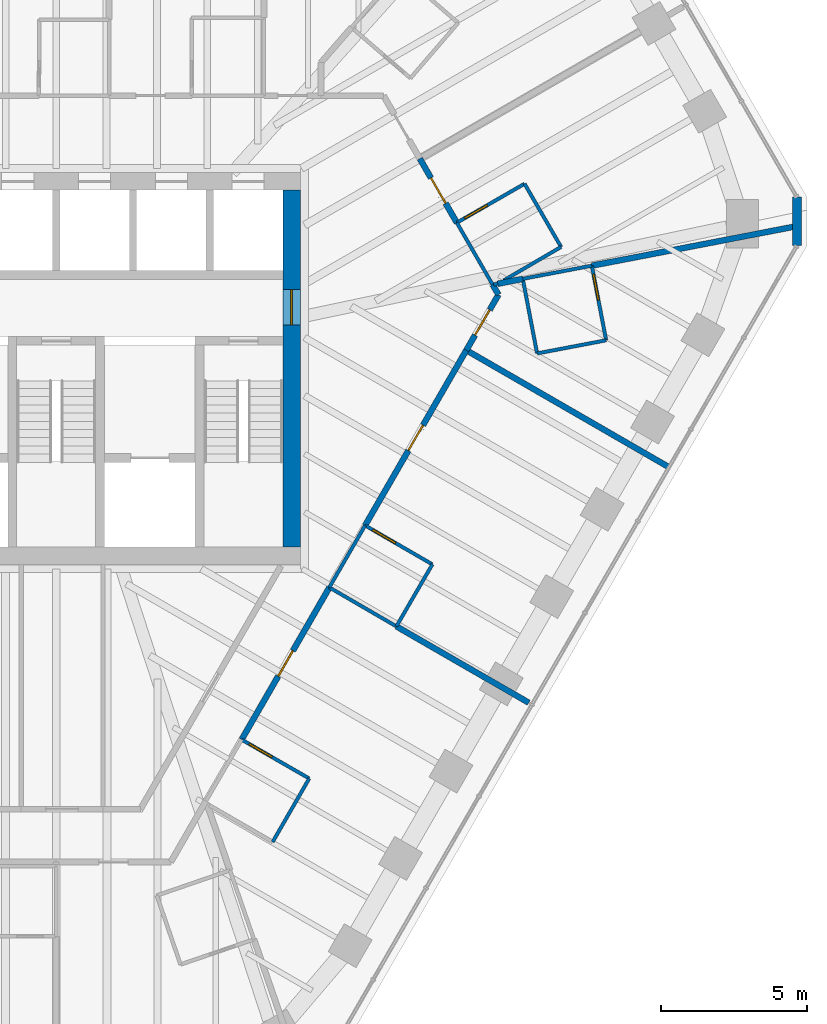
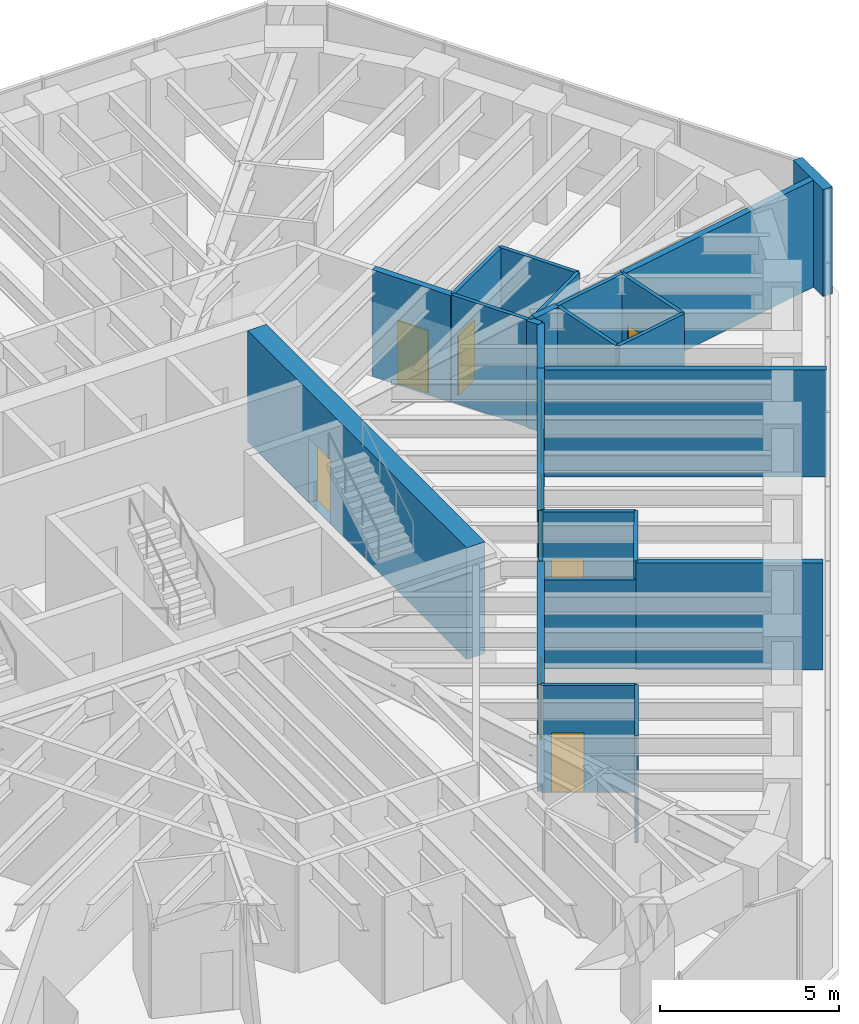
# One storey, part 11 of 14: 26 walls, 9 doors, 9 openings.
"""IFC4 building model written with IfcOpenShell, lengths in metres."""

from ifc_helpers import new_model, si_unit, direction, frame, frame_2d, origin, place, context, subcontext, project, spatial, rectangle, extrude, material, layer, layer_set, type_object, element, fill, save


model = new_model("IFC4")

# Units and contexts
model_context = context("Model", 3, precision=1e-05, world=origin(), true_north=direction((0.0, 1.0)))
body_context = subcontext(model_context, "Body", "Model", "MODEL_VIEW")
ifc_project = project(units=[si_unit("LENGTHUNIT", "METRE"), si_unit("AREAUNIT", "SQUARE_METRE"), si_unit("VOLUMEUNIT", "CUBIC_METRE"), si_unit("PLANEANGLEUNIT", "RADIAN"), si_unit("MASSUNIT", "GRAM", prefix="KILO")], contexts=[model_context])

# Site, building, storey
site_placement = place(None, origin())
site = spatial("IfcSite", under=ifc_project, at=site_placement, CompositionType="ELEMENT")
building_placement = place(site_placement, origin())
building = spatial("IfcBuilding", under=site, at=building_placement, Name="Sandreach Pilgrim Tower", CompositionType="ELEMENT")
storey_placement = place(building_placement, frame((0.0, 0.0, 272.199951171875)))
storey = spatial("IfcBuildingStorey", under=building, at=storey_placement, Name="L68", CompositionType="ELEMENT", Elevation=272.199951171875)

# Wall
ifc_material_1 = material(Name="Moisture-resistant gypsum board on steel studs", Category="steel")
ifc_layer_1 = layer(ifc_material_1, 0.1201171875)
ifc_layer_set_1 = layer_set([ifc_layer_1], Name="Bathroom partition 120")
wall_type_1 = type_object("IfcWallType", Name="Bathroom partition 120", PredefinedType="PARTITIONING", material=ifc_layer_set_1)
wall_1_placement = place(storey_placement, frame((7.39990234375, -16.179931640625, 0.0), z_axis=(0.0, 0.0, 1.0), x_axis=(0.499159685399, 0.866510016372, 0.0)))
element("IfcWall", 1, at=wall_1_placement, inside=storey, type_object=wall_type_1, Name="Bathroom partition L68-087", PredefinedType="PARTITIONING", context=body_context, shape_type="SweptSolid", body=[
    extrude(rectangle(XDim=2.504150390625, YDim=0.1201171875, at=frame_2d((1.251953125, 0.0))), origin(), (0.0, 0.0, 1.0), 3.64013671875),
])

# Wall, opening, door
wall_2_placement = place(storey_placement, frame((8.64990234375, -14.010009765625, 0.0), z_axis=(0.0, 0.0, 1.0), x_axis=(-0.866592449628, 0.499016559092, 0.0)))
wall_2 = element("IfcWall", 2, at=wall_2_placement, inside=storey, type_object=wall_type_1, Name="Bathroom partition L68-089", PredefinedType="PARTITIONING", context=body_context, shape_type="SweptSolid", body=[
    extrude(rectangle(XDim=2.665283203125, YDim=0.1201171875, at=frame_2d((1.33251953125, 0.0))), origin(), (0.0, 0.0, 1.0), 3.64013671875),
])
opening_1_placement = place(wall_2_placement, frame((1.465576171875, 0.0, 0.0)))
opening_1 = element("IfcOpeningElement", 3, at=opening_1_placement, cuts=wall_2, Name="Opening D09-09B", PredefinedType="OPENING", context=body_context, shape_type="SweptSolid", body=[
    extrude(rectangle(XDim=0.89990234375, YDim=2.030029296875, at=frame_2d((0.449951171875, 1.01513671875))), frame((0.0, 0.06005859375, 0.0), z_axis=(0.0, -1.0, 0.0), x_axis=(1.0, 0.0, 0.0)), (0.0, 0.0, 1.0), 0.1201171875),
])
ifc_material_2 = material(Name="Timber door, steel frame", Category="steel")
door_type_1 = type_object("IfcDoorType", Name="Bathroom door", OperationType="SINGLE_SWING_LEFT", PredefinedType="DOOR", material=ifc_material_2)
door_1_placement = place(opening_1_placement, origin())
door_1 = element("IfcDoor", 4, at=door_1_placement, inside=storey, type_object=door_type_1, Name="Door 6809B", OperationType="SINGLE_SWING_RIGHT", OverallHeight=2.030029296875, OverallWidth=0.89990234375, PredefinedType="DOOR", context=body_context, shape_type="SweptSolid", body=[
    extrude(rectangle(XDim=0.89990234375, YDim=2.030029296875, at=frame_2d((0.449951171875, 1.01513671875))), frame((0.0, 0.02490234375, 0.0), z_axis=(0.0, -1.0, 0.0), x_axis=(1.0, 0.0, 0.0)), (0.0, 0.0, 1.0), 0.050048828125),
])
fill(opening_1, door_1)

# Walls
wall_3_placement = place(storey_placement, frame((9.336669921875, -7.47802734375, 0.0), z_axis=(0.0, 0.0, 1.0), x_axis=(0.500186129468, 0.865917915214, 0.0)))
element("IfcWall", 5, at=wall_3_placement, inside=storey, type_object=wall_type_1, Name="Bathroom partition L68-092", PredefinedType="PARTITIONING", context=body_context, shape_type="SweptSolid", body=[
    extrude(rectangle(XDim=2.44580078125, YDim=0.1201171875, at=frame_2d((1.222900390625, 0.0))), origin(), (0.0, 0.0, 1.0), 3.64013671875),
])
wall_4_placement = place(storey_placement, frame((9.340087890625, -7.47998046875, 0.0), z_axis=(0.0, 0.0, 1.0), x_axis=(0.864703697948, -0.502282305835, 0.0)))
element("IfcWall", 6, at=wall_4_placement, inside=storey, type_object=wall_type_1, Name="Bathroom partition L68-093", PredefinedType="PARTITIONING", context=body_context, shape_type="SweptSolid", body=[
    extrude(rectangle(XDim=2.64794921875, YDim=0.1201171875, at=frame_2d((1.323974609375, 0.0))), origin(), (0.0, 0.0, 1.0), 3.0380859375),
])
wall_5_placement = place(storey_placement, frame((11.6298828125, -8.81005859375, 0.0), z_axis=(0.0, 0.0, 1.0), x_axis=(0.501888006485, 0.864932615264, 0.0)))
element("IfcWall", 7, at=wall_5_placement, inside=storey, type_object=wall_type_1, Name="Bathroom partition L68-101", PredefinedType="PARTITIONING", context=body_context, shape_type="SweptSolid", body=[
    extrude(rectangle(XDim=2.451171875, YDim=0.1201171875, at=frame_2d((1.2255859375, 0.0))), origin(), (0.0, 0.0, 1.0), 3.64013671875),
])

# Wall, opening, door
wall_6_placement = place(storey_placement, frame((12.860107421875, -6.68994140625, 0.0), z_axis=(0.0, 0.0, 1.0), x_axis=(-0.865675724273, 0.500605174168, 0.0)))
wall_6 = element("IfcWall", 8, at=wall_6_placement, inside=storey, type_object=wall_type_1, Name="Bathroom partition L68-105", PredefinedType="PARTITIONING", context=body_context, shape_type="SweptSolid", body=[
    extrude(rectangle(XDim=2.656982421875, YDim=0.1201171875, at=frame_2d((1.32861328125, 0.0))), origin(), (0.0, 0.0, 1.0), 3.64013671875),
])
opening_2_placement = place(wall_6_placement, frame((1.456787109375, 0.0, 0.0)))
opening_2 = element("IfcOpeningElement", 9, at=opening_2_placement, cuts=wall_6, Name="Opening D09-08B", PredefinedType="OPENING", context=body_context, shape_type="SweptSolid", body=[
    extrude(rectangle(XDim=0.89990234375, YDim=2.030029296875, at=frame_2d((0.449951171875, 1.01513671875))), frame((0.0, 0.06005859375, 0.0), z_axis=(0.0, -1.0, 0.0), x_axis=(1.0, 0.0, 0.0)), (0.0, 0.0, 1.0), 0.1201171875),
])
door_2_placement = place(opening_2_placement, origin())
door_2 = element("IfcDoor", 10, at=door_2_placement, inside=storey, type_object=door_type_1, Name="Door 6808B", OperationType="SINGLE_SWING_RIGHT", OverallHeight=2.030029296875, OverallWidth=0.89990234375, PredefinedType="DOOR", context=body_context, shape_type="SweptSolid", body=[
    extrude(rectangle(XDim=0.89990234375, YDim=2.030029296875, at=frame_2d((0.449951171875, 1.01513671875))), frame((0.0, 0.02490234375, 0.0), z_axis=(0.0, -1.0, 0.0), x_axis=(1.0, 0.0, 0.0)), (0.0, 0.0, 1.0), 0.050048828125),
])
fill(opening_2, door_2)

# Walls
wall_7_placement = place(storey_placement, frame((13.696533203125, 4.988037109375, 0.0), z_axis=(0.0, 0.0, 1.0), x_axis=(0.500142899558, -0.865942884965, 0.0)))
element("IfcWall", 11, at=wall_7_placement, inside=storey, type_object=wall_type_1, Name="Bathroom partition L68-106", PredefinedType="PARTITIONING", context=body_context, shape_type="SweptSolid", body=[
    extrude(rectangle(XDim=2.446044921875, YDim=0.1201171875, at=frame_2d((1.22314453125, 0.0))), origin(), (0.0, 0.0, 1.0), 3.64013671875),
])
wall_8_placement = place(storey_placement, frame((14.95458984375, 2.875732421875, 0.0), z_axis=(0.0, 0.0, 1.0), x_axis=(0.986483246584, 0.16386215002, 0.0)))
element("IfcWall", 12, at=wall_8_placement, inside=storey, type_object=wall_type_1, Name="Bathroom partition L68-110", PredefinedType="PARTITIONING", context=body_context, shape_type="SweptSolid", body=[
    extrude(rectangle(XDim=0.1474609375, YDim=0.1201171875, at=frame_2d((0.07373046875, 0.0))), origin(), (0.0, 0.0, 1.0), 3.64013671875),
])
wall_9_placement = place(storey_placement, frame((15.29443359375, 3.013427734375, 0.0), z_axis=(0.0, 0.0, 1.0), x_axis=(0.863798357138, 0.503837670491, 0.0)))
element("IfcWall", 13, at=wall_9_placement, inside=storey, type_object=wall_type_1, Name="Bathroom partition L68-111", PredefinedType="PARTITIONING", context=body_context, shape_type="SweptSolid", body=[
    extrude(rectangle(XDim=2.275390625, YDim=0.1201171875, at=frame_2d((1.1376953125, 0.0))), origin(), (0.0, 0.0, 1.0), 3.64013671875),
])
wall_10_placement = place(storey_placement, frame((15.949951171875, 3.070068359375, 0.0), z_axis=(0.0, 0.0, 1.0), x_axis=(0.188697442844, -0.982035271802, 0.0)))
element("IfcWall", 14, at=wall_10_placement, inside=storey, type_object=wall_type_1, Name="Bathroom partition L68-113", PredefinedType="PARTITIONING", context=body_context, shape_type="SweptSolid", body=[
    extrude(rectangle(XDim=2.5966796875, YDim=0.1201171875, at=frame_2d((1.29833984375, 0.0))), origin(), (0.0, 0.0, 1.0), 3.64013671875),
])
wall_11_placement = place(storey_placement, frame((15.949951171875, 3.070068359375, 0.0), z_axis=(0.0, 0.0, 1.0), x_axis=(0.982307423658, 0.187275533444, 0.0)))
element("IfcWall", 15, at=wall_11_placement, inside=storey, type_object=wall_type_1, Name="Bathroom partition L68-114", PredefinedType="PARTITIONING", context=body_context, shape_type="SweptSolid", body=[
    extrude(rectangle(XDim=2.402587890625, YDim=0.1201171875, at=frame_2d((1.201171875, 0.0))), origin(), (0.0, 0.0, 1.0), 3.64013671875),
])

# Wall, opening, door
wall_12_placement = place(storey_placement, frame((16.010009765625, 6.320068359375, 0.0), z_axis=(0.0, 0.0, 1.0), x_axis=(-0.866615255992, -0.498976951453, 0.0)))
wall_12 = element("IfcWall", 16, at=wall_12_placement, inside=storey, type_object=wall_type_1, Name="Bathroom partition L68-115", PredefinedType="PARTITIONING", context=body_context, shape_type="SweptSolid", body=[
    extrude(rectangle(XDim=2.66552734375, YDim=0.1201171875, at=frame_2d((1.332763671875, 0.0))), origin(), (0.0, 0.0, 1.0), 3.64013671875),
])
opening_3_placement = place(wall_12_placement, frame((1.465576171875, 0.0, 0.0)))
opening_3 = element("IfcOpeningElement", 17, at=opening_3_placement, cuts=wall_12, Name="Opening D09-06B", PredefinedType="OPENING", context=body_context, shape_type="SweptSolid", body=[
    extrude(rectangle(XDim=0.89990234375, YDim=2.030029296875, at=frame_2d((0.449951171875, 1.01513671875))), frame((0.0, 0.06005859375, 0.0), z_axis=(0.0, -1.0, 0.0), x_axis=(1.0, 0.0, 0.0)), (0.0, 0.0, 1.0), 0.1201171875),
])
door_3_placement = place(opening_3_placement, origin())
door_3 = element("IfcDoor", 18, at=door_3_placement, inside=storey, type_object=door_type_1, Name="Door 6806B", OperationType="SINGLE_SWING_RIGHT", OverallHeight=2.030029296875, OverallWidth=0.89990234375, PredefinedType="DOOR", context=body_context, shape_type="SweptSolid", body=[
    extrude(rectangle(XDim=0.89990234375, YDim=2.030029296875, at=frame_2d((0.449951171875, 1.01513671875))), frame((0.0, 0.02490234375, 0.0), z_axis=(0.0, -1.0, 0.0), x_axis=(1.0, 0.0, 0.0)), (0.0, 0.0, 1.0), 0.050048828125),
])
fill(opening_3, door_3)

# Walls
wall_13_placement = place(storey_placement, frame((16.43994140625, 0.52001953125, 0.0), z_axis=(0.0, 0.0, 1.0), x_axis=(0.982307423658, 0.187275533444, 0.0)))
element("IfcWall", 19, at=wall_13_placement, inside=storey, type_object=wall_type_1, Name="Bathroom partition L68-117", PredefinedType="PARTITIONING", context=body_context, shape_type="SweptSolid", body=[
    extrude(rectangle(XDim=2.402587890625, YDim=0.1201171875, at=frame_2d((1.201171875, 0.0))), origin(), (0.0, 0.0, 1.0), 3.64013671875),
])
wall_14_placement = place(storey_placement, frame((17.260009765625, 4.159912109375, 0.0), z_axis=(0.0, 0.0, 1.0), x_axis=(-0.500851167559, 0.865533423938, 0.0)))
element("IfcWall", 20, at=wall_14_placement, inside=storey, type_object=wall_type_1, Name="Bathroom partition L68-118", PredefinedType="PARTITIONING", context=body_context, shape_type="SweptSolid", body=[
    extrude(rectangle(XDim=2.495849609375, YDim=0.1201171875, at=frame_2d((1.248046875, 0.0))), origin(), (0.0, 0.0, 1.0), 3.64013671875),
])

# Wall, opening, door
wall_15_placement = place(storey_placement, frame((18.800048828125, 0.969970703125, 0.0), z_axis=(0.0, 0.0, 1.0), x_axis=(-0.188697442844, 0.982035271802, 0.0)))
wall_15 = element("IfcWall", 21, at=wall_15_placement, inside=storey, type_object=wall_type_1, Name="Bathroom partition L68-120", PredefinedType="PARTITIONING", context=body_context, shape_type="SweptSolid", body=[
    extrude(rectangle(XDim=2.5966796875, YDim=0.1201171875, at=frame_2d((1.29833984375, 0.0))), origin(), (0.0, 0.0, 1.0), 3.64013671875),
])
opening_4_placement = place(wall_15_placement, frame((1.396728515625, 0.0, 0.0)))
opening_4 = element("IfcOpeningElement", 22, at=opening_4_placement, cuts=wall_15, Name="Opening D09-07B", PredefinedType="OPENING", context=body_context, shape_type="SweptSolid", body=[
    extrude(rectangle(XDim=0.89990234375, YDim=2.030029296875, at=frame_2d((0.449951171875, 1.01513671875))), frame((0.0, 0.06005859375, 0.0), z_axis=(0.0, -1.0, 0.0), x_axis=(1.0, 0.0, 0.0)), (0.0, 0.0, 1.0), 0.1201171875),
])
door_4_placement = place(opening_4_placement, origin())
door_4 = element("IfcDoor", 23, at=door_4_placement, inside=storey, type_object=door_type_1, Name="Door 6807B", OperationType="SINGLE_SWING_RIGHT", OverallHeight=2.030029296875, OverallWidth=0.89990234375, PredefinedType="DOOR", context=body_context, shape_type="SweptSolid", body=[
    extrude(rectangle(XDim=0.89990234375, YDim=2.030029296875, at=frame_2d((0.449951171875, 1.01513671875))), frame((0.0, 0.02490234375, 0.0), z_axis=(0.0, -1.0, 0.0), x_axis=(1.0, 0.0, 0.0)), (0.0, 0.0, 1.0), 0.050048828125),
])
fill(opening_4, door_4)

ifc_material_3 = material(Name="Concrete 10000 psi", Category="concrete")
ifc_layer_2 = layer(ifc_material_3, 0.60009765625)
ifc_layer_set_2 = layer_set([ifc_layer_2], Name="Core wall 600")
wall_type_2 = type_object("IfcWallType", Name="Core wall 600", PredefinedType="SHEAR", material=ifc_layer_set_2)
wall_16_placement = place(storey_placement, frame((8.050048828125, -6.10009765625, 0.0), z_axis=(0.0, 0.0, 1.0), x_axis=(0.0, 1.0, 0.0)))
wall_16 = element("IfcWall", 24, at=wall_16_placement, inside=storey, type_object=wall_type_2, Name="Core wall E L68", PredefinedType="SHEAR", context=body_context, shape_type="SweptSolid", body=[
    extrude(rectangle(XDim=12.2001953125, YDim=0.60009765625, at=frame_2d((6.10009765625, 0.0))), origin(), (0.0, 0.0, 1.0), 3.800048828125),
])
opening_5_placement = place(wall_16_placement, frame((7.60009765625, 0.0, 0.0)))
opening_5 = element("IfcOpeningElement", 25, at=opening_5_placement, cuts=wall_16, Name="Opening D12F-E", PredefinedType="OPENING", context=body_context, shape_type="SweptSolid", body=[
    extrude(rectangle(XDim=1.199951171875, YDim=2.199951171875, at=frame_2d((0.60009765625, 1.10009765625))), frame((0.0, 0.300048828125, 0.0), z_axis=(0.0, -1.0, 0.0), x_axis=(1.0, 0.0, 0.0)), (0.0, 0.0, 1.0), 0.60009765625),
])
ifc_material_4 = material(Name="Steel door and frame", Category="steel")
door_type_2 = type_object("IfcDoorType", Name="Fire lobby door", OperationType="SINGLE_SWING_LEFT", PredefinedType="DOOR", material=ifc_material_4)
door_5_placement = place(opening_5_placement, origin())
door_5 = element("IfcDoor", 26, at=door_5_placement, inside=storey, type_object=door_type_2, Name="Fire service lobby door E L68", OperationType="SINGLE_SWING_RIGHT", OverallHeight=2.199951171875, OverallWidth=1.199951171875, PredefinedType="DOOR", context=body_context, shape_type="SweptSolid", body=[
    extrude(rectangle(XDim=1.199951171875, YDim=2.199951171875, at=frame_2d((0.60009765625, 1.10009765625))), frame((0.0, 0.02490234375, 0.0), z_axis=(0.0, -1.0, 0.0), x_axis=(1.0, 0.0, 0.0)), (0.0, 0.0, 1.0), 0.050048828125),
])
fill(opening_5, door_5)

ifc_material_5 = material(Name="Gypsum board on steel studs, two layers each side", Category="steel")
ifc_layer_3 = layer(ifc_material_5, 0.199951171875)
ifc_layer_set_3 = layer_set([ifc_layer_3], Name="Corridor wall 200")
wall_type_3 = type_object("IfcWallType", Name="Corridor wall 200", PredefinedType="PARTITIONING", material=ifc_layer_set_3)
wall_17_placement = place(storey_placement, frame((6.340087890625, -12.679931640625, 0.0), z_axis=(0.0, 0.0, 1.0), x_axis=(0.499725974117, 0.866183554908, 0.0)))
wall_17 = element("IfcWall", 27, at=wall_17_placement, inside=storey, type_object=wall_type_3, Name="Corridor wall L68-077", PredefinedType="PARTITIONING", context=body_context, shape_type="SweptSolid", body=[
    extrude(rectangle(XDim=6.003173828125, YDim=0.199951171875, at=frame_2d((3.00146484375, 0.0))), origin(), (0.0, 0.0, 1.0), 3.64013671875),
])
opening_6_placement = place(wall_17_placement, frame((2.501708984375, 0.0, 0.0)))
opening_6 = element("IfcOpeningElement", 28, at=opening_6_placement, cuts=wall_17, Name="Opening D10-09", PredefinedType="OPENING", context=body_context, shape_type="SweptSolid", body=[
    extrude(rectangle(XDim=1.0, YDim=2.1298828125, at=frame_2d((0.5, 1.06494140625))), frame((0.0, 0.10009765625, 0.0), z_axis=(0.0, -1.0, 0.0), x_axis=(1.0, 0.0, 0.0)), (0.0, 0.0, 1.0), 0.199951171875),
])
ifc_material_6 = material(Name="Steel door and frame", Category="steel")
door_type_3 = type_object("IfcDoorType", Name="Guest room entry door", OperationType="SINGLE_SWING_LEFT", PredefinedType="DOOR", material=ifc_material_6)
door_6_placement = place(opening_6_placement, origin())
door_6 = element("IfcDoor", 29, at=door_6_placement, inside=storey, type_object=door_type_3, Name="Door 6809", OperationType="SINGLE_SWING_LEFT", OverallHeight=2.1298828125, OverallWidth=1.0, PredefinedType="DOOR", context=body_context, shape_type="SweptSolid", body=[
    extrude(rectangle(XDim=1.0, YDim=2.1298828125, at=frame_2d((0.5, 1.06494140625))), frame((0.0, 0.02490234375, 0.0), z_axis=(0.0, -1.0, 0.0), x_axis=(1.0, 0.0, 0.0)), (0.0, 0.0, 1.0), 0.050048828125),
])
fill(opening_6, door_6)

wall_18_placement = place(storey_placement, frame((10.56005859375, -5.360107421875, 0.0), z_axis=(0.0, 0.0, 1.0), x_axis=(0.500162347976, 0.865931651845, 0.0)))
wall_18 = element("IfcWall", 30, at=wall_18_placement, inside=storey, type_object=wall_type_3, Name="Corridor wall L68-098", PredefinedType="PARTITIONING", context=body_context, shape_type="SweptSolid", body=[
    extrude(rectangle(XDim=6.917724609375, YDim=0.199951171875, at=frame_2d((3.458984375, 0.0))), origin(), (0.0, 0.0, 1.0), 3.64013671875),
])
opening_7_placement = place(wall_18_placement, frame((2.958740234375, 0.0, 0.0)))
opening_7 = element("IfcOpeningElement", 31, at=opening_7_placement, cuts=wall_18, Name="Opening D10-08", PredefinedType="OPENING", context=body_context, shape_type="SweptSolid", body=[
    extrude(rectangle(XDim=1.0, YDim=2.1298828125, at=frame_2d((0.5, 1.06494140625))), frame((0.0, 0.10009765625, 0.0), z_axis=(0.0, -1.0, 0.0), x_axis=(1.0, 0.0, 0.0)), (0.0, 0.0, 1.0), 0.199951171875),
])
door_7_placement = place(opening_7_placement, origin())
door_7 = element("IfcDoor", 32, at=door_7_placement, inside=storey, type_object=door_type_3, Name="Door 6808", OperationType="SINGLE_SWING_LEFT", OverallHeight=2.1298828125, OverallWidth=1.0, PredefinedType="DOOR", context=body_context, shape_type="SweptSolid", body=[
    extrude(rectangle(XDim=1.0, YDim=2.1298828125, at=frame_2d((0.5, 1.06494140625))), frame((0.0, 0.02490234375, 0.0), z_axis=(0.0, -1.0, 0.0), x_axis=(1.0, 0.0, 0.0)), (0.0, 0.0, 1.0), 0.050048828125),
])
fill(opening_7, door_7)

wall_19_placement = place(storey_placement, frame((12.429931640625, 7.179931640625, 0.0), z_axis=(0.0, 0.0, 1.0), x_axis=(0.500329012441, -0.865835365015, 0.0)))
wall_19 = element("IfcWall", 33, at=wall_19_placement, inside=storey, type_object=wall_type_3, Name="Corridor wall L68-104", PredefinedType="PARTITIONING", context=body_context, shape_type="SweptSolid", body=[
    extrude(rectangle(XDim=2.531494140625, YDim=0.199951171875, at=frame_2d((1.265625, 0.0))), origin(), (0.0, 0.0, 1.0), 3.64013671875),
])
opening_8_placement = place(wall_19_placement, frame((0.765869140625, 0.0, 0.0)))
opening_8 = element("IfcOpeningElement", 34, at=opening_8_placement, cuts=wall_19, Name="Opening D10-06", PredefinedType="OPENING", context=body_context, shape_type="SweptSolid", body=[
    extrude(rectangle(XDim=1.0, YDim=2.1298828125, at=frame_2d((0.5, 1.06494140625))), frame((0.0, 0.10009765625, 0.0), z_axis=(0.0, -1.0, 0.0), x_axis=(1.0, 0.0, 0.0)), (0.0, 0.0, 1.0), 0.199951171875),
])
door_8_placement = place(opening_8_placement, origin())
door_8 = element("IfcDoor", 35, at=door_8_placement, inside=storey, type_object=door_type_3, Name="Door 6806", OperationType="SINGLE_SWING_LEFT", OverallHeight=2.1298828125, OverallWidth=1.0, PredefinedType="DOOR", context=body_context, shape_type="SweptSolid", body=[
    extrude(rectangle(XDim=1.0, YDim=2.1298828125, at=frame_2d((0.5, 1.06494140625))), frame((0.0, 0.02490234375, 0.0), z_axis=(0.0, -1.0, 0.0), x_axis=(1.0, 0.0, 0.0)), (0.0, 0.0, 1.0), 0.050048828125),
])
fill(opening_8, door_8)

wall_20_placement = place(storey_placement, frame((14.02001953125, 0.6298828125, 0.0), z_axis=(0.0, 0.0, 1.0), x_axis=(0.500957366999, 0.865471961677, 0.0)))
wall_20 = element("IfcWall", 36, at=wall_20_placement, inside=storey, type_object=wall_type_3, Name="Corridor wall L68-108", PredefinedType="PARTITIONING", context=body_context, shape_type="SweptSolid", body=[
    extrude(rectangle(XDim=2.195556640625, YDim=0.199951171875, at=frame_2d((1.09765625, 0.0))), origin(), (0.0, 0.0, 1.0), 3.64013671875),
])
opening_9_placement = place(wall_20_placement, frame((0.59765625, 0.0, 0.0)))
opening_9 = element("IfcOpeningElement", 37, at=opening_9_placement, cuts=wall_20, Name="Opening D10-07", PredefinedType="OPENING", context=body_context, shape_type="SweptSolid", body=[
    extrude(rectangle(XDim=1.0, YDim=2.1298828125, at=frame_2d((0.5, 1.06494140625))), frame((0.0, 0.10009765625, 0.0), z_axis=(0.0, -1.0, 0.0), x_axis=(1.0, 0.0, 0.0)), (0.0, 0.0, 1.0), 0.199951171875),
])
door_9_placement = place(opening_9_placement, origin())
door_9 = element("IfcDoor", 38, at=door_9_placement, inside=storey, type_object=door_type_3, Name="Door 6807", OperationType="SINGLE_SWING_LEFT", OverallHeight=2.1298828125, OverallWidth=1.0, PredefinedType="DOOR", context=body_context, shape_type="SweptSolid", body=[
    extrude(rectangle(XDim=1.0, YDim=2.1298828125, at=frame_2d((0.5, 1.06494140625))), frame((0.0, 0.02490234375, 0.0), z_axis=(0.0, -1.0, 0.0), x_axis=(1.0, 0.0, 0.0)), (0.0, 0.0, 1.0), 0.050048828125),
])
fill(opening_9, door_9)

# Walls
wall_21_placement = place(storey_placement, frame((14.919921875, 2.8701171875, 0.0), z_axis=(0.0, 0.0, 1.0), x_axis=(0.507290461451, -0.861775137562, 0.0)))
element("IfcWall", 39, at=wall_21_placement, inside=storey, type_object=wall_type_3, Name="Corridor wall L68-109", PredefinedType="PARTITIONING", context=body_context, shape_type="SweptSolid", body=[
    extrude(rectangle(XDim=0.39453125, YDim=0.199951171875, at=frame_2d((0.197265625, 0.0))), origin(), (0.0, 0.0, 1.0), 3.64013671875),
])
ifc_material_7 = material(Name="Double steel stud acoustic wall, gypsum board", Category="steel")
ifc_layer_4 = layer(ifc_material_7, 0.199951171875)
ifc_layer_set_4 = layer_set([ifc_layer_4], Name="Party wall 200")
wall_type_4 = type_object("IfcWallType", Name="Party wall 200", PredefinedType="PARTITIONING", material=ifc_layer_set_4)
wall_22_placement = place(storey_placement, frame((15.949951171875, 3.070068359375, 0.0), z_axis=(0.0, 0.0, 1.0), x_axis=(-0.980975039503, -0.194133901912, 0.0)))
element("IfcWall", 40, at=wall_22_placement, inside=storey, type_object=wall_type_4, Name="Party wall L68-112", PredefinedType="PARTITIONING", context=body_context, shape_type="SweptSolid", body=[
    extrude(rectangle(XDim=0.87646484375, YDim=0.199951171875, at=frame_2d((0.438232421875, 0.0))), origin(), (0.0, 0.0, 1.0), 3.64013671875),
])
wall_23_placement = place(storey_placement, frame((16.156005859375, -11.420166015625, 0.0), z_axis=(0.0, 0.0, 1.0), x_axis=(-0.866278144217, 0.499561984995, 0.0)))
element("IfcWall", 41, at=wall_23_placement, inside=storey, type_object=wall_type_4, Name="Party wall L68-116", PredefinedType="PARTITIONING", context=body_context, shape_type="SweptSolid", body=[
    extrude(rectangle(XDim=5.224853515625, YDim=0.199951171875, at=frame_2d((2.6123046875, 0.0))), origin(), (0.0, 0.0, 1.0), 3.64013671875),
])
wall_24_placement = place(storey_placement, frame((18.31005859375, 3.52001953125, 0.0), z_axis=(0.0, 0.0, 1.0), x_axis=(0.981948758854, 0.189147125234, 0.0)))
element("IfcWall", 42, at=wall_24_placement, inside=storey, type_object=wall_type_4, Name="Party wall L68-119", PredefinedType="PARTITIONING", context=body_context, shape_type="SweptSolid", body=[
    extrude(rectangle(XDim=7.15966796875, YDim=0.199951171875, at=frame_2d((3.579833984375, 0.0))), origin(), (0.0, 0.0, 1.0), 3.64013671875),
])
wall_25_placement = place(storey_placement, frame((20.924072265625, -3.35498046875, 0.0), z_axis=(0.0, 0.0, 1.0), x_axis=(-0.866082379937, 0.499901301422, 0.0)))
element("IfcWall", 43, at=wall_25_placement, inside=storey, type_object=wall_type_4, Name="Party wall L68-121", PredefinedType="PARTITIONING", context=body_context, shape_type="SweptSolid", body=[
    extrude(rectangle(XDim=7.95654296875, YDim=0.199951171875, at=frame_2d((3.978271484375, 0.0))), origin(), (0.0, 0.0, 1.0), 3.64013671875),
])
ifc_material_8 = material(Name="Terracotta rainscreen on concrete", Category="masonry")
ifc_layer_5 = layer(ifc_material_8, 0.300048828125)
ifc_layer_set_5 = layer_set([ifc_layer_5], Name="Terracotta chamfer pier")
wall_type_5 = type_object("IfcWallType", Name="Terracotta chamfer pier", PredefinedType="SOLIDWALL", material=ifc_layer_set_5)
wall_26_placement = place(storey_placement, frame((25.3193359375, 5.861572265625, 0.0), z_axis=(0.0, 0.0, 1.0), x_axis=(0.0, -1.0, 0.0)))
element("IfcWall", 44, at=wall_26_placement, inside=storey, type_object=wall_type_5, Name="Chamfer pier L68 NE", PredefinedType="SOLIDWALL", context=body_context, shape_type="SweptSolid", body=[
    extrude(rectangle(XDim=1.659912109375, YDim=0.300048828125, at=frame_2d((0.830078125, 0.0))), origin(), (0.0, 0.0, 1.0), 3.64013671875),
])

save(model, "model.ifc")
